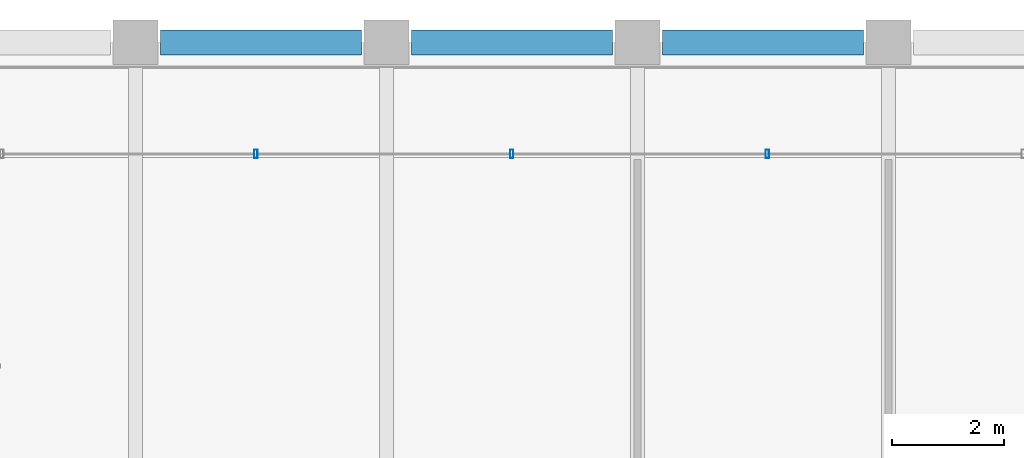
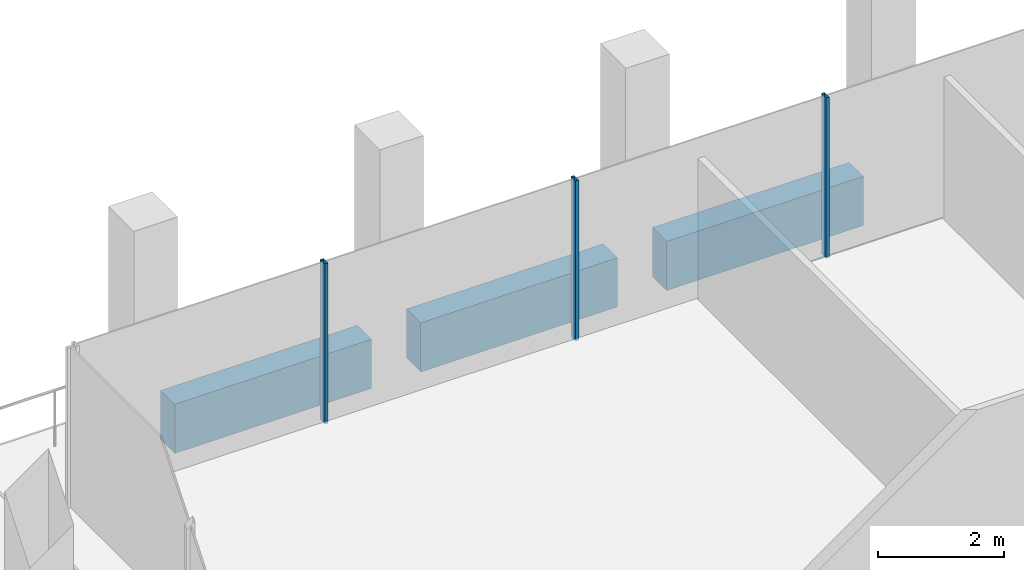
# One storey, part 23 of 40: 3 beams, 3 members, 1 element without a shape of its own.
"""IFC4 building model written with IfcOpenShell, lengths in metres."""

import ifcopenshell
import ifcopenshell.guid

model = None  # the IFC model being written
_history = None  # IfcOwnerHistory: only IFC2X3 demands one
_inside = {}  # id of a spatial element -> (the spatial element, [elements in it])
_under = {}  # id of a project, library or spatial element -> (it, [spatial elements below it])
_declared = {}  # id of a project -> (the project, [libraries it declares])
_typed = {}  # id of a type object -> (the type object, [elements of that type])
_made_of = {}  # id of a material, layer set ... -> (it, [elements and type objects made of it])


def new_model(schema):
    """Start an empty IFC model of exactly this schema.

    Asked for "IFC4X3", IfcOpenShell would pick the latest addendum, in which some entities
    have other attributes; the version numbers below select the first issue.
    IFC2X3 requires an IfcOwnerHistory on every rooted entity: one is made here for all.
    """
    global model, _history
    if schema == "IFC4X3":
        model = ifcopenshell.file(schema_version=(4, 3, 0, 0))
    else:
        model = ifcopenshell.file(schema=schema)
    _inside.clear()
    _under.clear()
    _declared.clear()
    _typed.clear()
    _made_of.clear()
    _history = None
    if model.schema == "IFC2X3":
        org = make("IfcOrganization", Name="unknown")
        user = make(
            "IfcPersonAndOrganization",
            ThePerson=make("IfcPerson", FamilyName="unknown"),
            TheOrganization=org,
        )
        app = make(
            "IfcApplication",
            ApplicationDeveloper=org,
            Version="unknown",
            ApplicationFullName="unknown",
            ApplicationIdentifier="unknown",
        )
        _history = make(
            "IfcOwnerHistory",
            OwningUser=user,
            OwningApplication=app,
            ChangeAction="ADDED",
            CreationDate=0,
        )
    return model


def make(cls, **values):
    """One entity of the class cls with the attributes given. An attribute that is None is left unset."""
    return model.create_entity(
        cls, **{name: value for name, value in values.items() if value is not None}
    )


def rooted(cls, **values):
    """An entity with a GlobalId (a new one), such as an element, a storey or a relation."""
    return make(cls, GlobalId=ifcopenshell.guid.new(), OwnerHistory=_history, **values)


def si_unit(unit_type, name, prefix=None):
    """IfcSIUnit, for example si_unit("LENGTHUNIT", "METRE", prefix="MILLI")."""
    return make("IfcSIUnit", UnitType=unit_type, Prefix=prefix, Name=name)


def assignment(units):
    """IfcUnitAssignment: the units of a project."""
    return None if units is None else make("IfcUnitAssignment", Units=units)


def point(xyz):
    """IfcCartesianPoint."""
    return None if xyz is None else make("IfcCartesianPoint", Coordinates=xyz)


def direction(xyz):
    """IfcDirection."""
    return None if xyz is None else make("IfcDirection", DirectionRatios=xyz)


def frame(location, z_axis=None, x_axis=None):
    """IfcAxis2Placement3D, a coordinate frame: its origin and axes. An axis left out is left unset."""
    return make(
        "IfcAxis2Placement3D",
        Location=point(location),
        Axis=direction(z_axis),
        RefDirection=direction(x_axis),
    )


def frame_2d(location, x_axis=None):
    """IfcAxis2Placement2D, a coordinate frame in the plane: its origin and x axis."""
    return make(
        "IfcAxis2Placement2D", Location=point(location), RefDirection=direction(x_axis)
    )


def origin():
    """The frame at (0, 0, 0) with its axes left unset."""
    return frame((0.0, 0.0, 0.0))


def origin_2d():
    """The frame at (0, 0) in the plane with its x axis left unset."""
    return frame_2d((0.0, 0.0))


def place(relative_to, where):
    """IfcLocalPlacement: puts the frame where relative to a parent placement (None: the world)."""
    return make(
        "IfcLocalPlacement", PlacementRelTo=relative_to, RelativePlacement=where
    )


def context(
    kind, dimensions, precision=None, world=None, true_north=None, identifier=None
):
    """IfcGeometricRepresentationContext, for example the 3D "Model" context."""
    return make(
        "IfcGeometricRepresentationContext",
        ContextIdentifier=identifier,
        ContextType=kind,
        CoordinateSpaceDimension=dimensions,
        Precision=precision,
        WorldCoordinateSystem=world,
        TrueNorth=true_north,
    )


def subcontext(parent, identifier, kind, view, scale=None):
    """IfcGeometricRepresentationSubContext, for example "Body" below "Model"."""
    return make(
        "IfcGeometricRepresentationSubContext",
        ContextIdentifier=identifier,
        ContextType=kind,
        ParentContext=parent,
        TargetScale=scale,
        TargetView=view,
    )


def project(units=None, contexts=None):
    """IfcProject with its units and contexts."""
    return rooted(
        "IfcProject",
        Name="project",
        RepresentationContexts=contexts,
        UnitsInContext=assignment(units),
    )


def spatial(cls, under=None, at=None, **own):
    """A site, building, storey or space (cls), placed at a placement, below another one or the project."""
    s = rooted(cls, ObjectPlacement=at, **own)
    if under is not None:
        _under.setdefault(under.id(), (under, []))[1].append(s)
    return s


def profile(cls, at=None, kind="AREA", **sizes):
    """A parametric profile (cls). Its sizes go by their IFC names, for example OverallWidth=200.0."""
    return make(cls, ProfileType=kind, Position=at, **sizes)


def rectangle(**sizes):
    """IfcRectangleProfileDef."""
    return profile("IfcRectangleProfileDef", **sizes)


def hollow_rectangle(**sizes):
    """IfcRectangleHollowProfileDef."""
    return profile("IfcRectangleHollowProfileDef", **sizes)


def extrude(swept, where, along, depth):
    """IfcExtrudedAreaSolid: the profile swept, set in the frame where, extruded along a direction by depth."""
    return make(
        "IfcExtrudedAreaSolid",
        SweptArea=swept,
        Position=where,
        ExtrudedDirection=direction(along),
        Depth=depth,
    )


def shape(context_of_items, identifier, shape_type, items):
    """IfcShapeRepresentation: the items that make up one representation, for example the "Body"."""
    return make(
        "IfcShapeRepresentation",
        ContextOfItems=context_of_items,
        RepresentationIdentifier=identifier,
        RepresentationType=shape_type,
        Items=items,
    )


def material(Name=None, Category=None):
    """IfcMaterial."""
    return make("IfcMaterial", Name=Name, Category=Category)


def material_profile(
    of_material, cross_section, Name=None, Category=None, Priority=None
):
    """IfcMaterialProfile: a cross section and its material."""
    return make(
        "IfcMaterialProfile",
        Name=Name,
        Material=of_material,
        Profile=cross_section,
        Priority=Priority,
        Category=Category,
    )


def profile_set(profiles, Name=None, composite=None):
    """IfcMaterialProfileSet."""
    return make(
        "IfcMaterialProfileSet",
        Name=Name,
        MaterialProfiles=profiles,
        CompositeProfile=composite,
    )


def made_of(thing, what):
    """Note that an element or type object is made of a material, layer set ...; save() writes the relation."""
    if what is not None:
        _made_of.setdefault(what.id(), (what, []))[1].append(thing)
    return thing


def type_object(cls, material=None, **own):
    """A type object (cls), such as IfcWallType, which elements share."""
    return made_of(rooted(cls, **own), material)


def element(
    cls,
    number,
    at=None,
    inside=None,
    cuts=None,
    type_object=None,
    material=None,
    context=None,
    identifier="Body",
    shape_type=None,
    held_by="IfcProductDefinitionShape",
    body=None,
    shapes=None,
    **own,
):
    """One element of the class cls, such as IfcWall. Its Tag is "e" and its number.

    at: its placement. inside: the storey or other place that contains it. cuts: it is an
    opening in that element (IfcRelVoidsElement). A single representation is given by context,
    identifier, shape_type and body (its items); several are given by shapes. held_by: the class
    of the entity that holds the representations. save() writes the other relations.
    """
    e = rooted(cls, Tag="e%d" % number, ObjectPlacement=at, **own)
    if body is not None:
        shapes = [shape(context, identifier, shape_type, body)]
    if shapes is not None:
        e.Representation = make(held_by, Representations=shapes)
    if inside is not None:
        _inside.setdefault(inside.id(), (inside, []))[1].append(e)
    if cuts is not None:
        rooted(
            "IfcRelVoidsElement", RelatingBuildingElement=cuts, RelatedOpeningElement=e
        )
    if type_object is not None:
        _typed.setdefault(type_object.id(), (type_object, []))[1].append(e)
    return made_of(e, material)


def aggregate(whole, parts):
    """IfcRelAggregates: a whole, such as a stair, and the parts it consists of."""
    return rooted("IfcRelAggregates", RelatingObject=whole, RelatedObjects=parts)


def save(model, path):
    """Write the relations noted so far, then the file.

    IfcRelAggregates (storeys below a building ...), IfcRelContainedInSpatialStructure (elements
    in a storey), IfcRelDefinesByType, IfcRelAssociatesMaterial and IfcRelDeclares: one each for
    every whole, place, type object, material and project.
    """
    for whole, parts in _under.values():
        aggregate(whole, parts)
    for where, things in _inside.values():
        rooted(
            "IfcRelContainedInSpatialStructure",
            RelatedElements=things,
            RelatingStructure=where,
        )
    for kind, things in _typed.values():
        rooted("IfcRelDefinesByType", RelatedObjects=things, RelatingType=kind)
    for what, things in _made_of.values():
        rooted("IfcRelAssociatesMaterial", RelatedObjects=things, RelatingMaterial=what)
    for by, libraries in _declared.values():
        rooted("IfcRelDeclares", RelatingContext=by, RelatedDefinitions=libraries)
    model.write(path)


model = new_model("IFC4")

# Units and contexts
model_context = context("Model", 3, precision=1e-05, world=origin(), true_north=direction((0.0, 1.0)))
body_context = subcontext(model_context, "Body", "Model", "MODEL_VIEW")
ifc_project = project(units=[si_unit("LENGTHUNIT", "METRE"), si_unit("AREAUNIT", "SQUARE_METRE"), si_unit("VOLUMEUNIT", "CUBIC_METRE"), si_unit("PLANEANGLEUNIT", "RADIAN"), si_unit("MASSUNIT", "GRAM", prefix="KILO")], contexts=[model_context])

# Site, building, storey
site_placement = place(None, origin())
site = spatial("IfcSite", under=ifc_project, at=site_placement, CompositionType="ELEMENT")
building_placement = place(site_placement, origin())
building = spatial("IfcBuilding", under=site, at=building_placement, Name="Altepetl Exchange Towers", CompositionType="ELEMENT")
storey_placement = place(building_placement, frame((0.0, 0.0, 195.60009765625)))
storey = spatial("IfcBuildingStorey", under=building, at=storey_placement, Name="L49", CompositionType="ELEMENT", Elevation=195.60009765625)

# Curtain wall, members
ifc_material_1 = material(Name="Aluminium 6063-T6 glazing", Category="aluminium")
curtain_wall_type = type_object("IfcCurtainWallType", Name="Loggia glazing system", PredefinedType="NOTDEFINED", material=ifc_material_1)
curtain_wall_placement = place(storey_placement, origin())
curtain_wall = element("IfcCurtainWall", 1, at=curtain_wall_placement, inside=storey, type_object=curtain_wall_type, Name="CW1 run", PredefinedType="NOTDEFINED")
ifc_material_2 = material(Name="Aluminium 6063-T6", Category="aluminium")
ifc_material_profile_1 = material_profile(ifc_material_2, hollow_rectangle(XDim=0.06005859375, YDim=0.14990234375, WallThickness=0.0029296875, at=origin_2d()), Name="Mullion 60x150 aluminium")
ifc_profile_set_1 = profile_set([ifc_material_profile_1], Name="Aluminium 6063-T6")
member_type = type_object("IfcMemberType", Name="Mullion 60x150 aluminium", PredefinedType="MULLION", material=ifc_profile_set_1)
member_1_placement = place(storey_placement, frame((56.330078125, 70.0, 0.0), z_axis=(0.0, 0.0, 1.0), x_axis=(-1.0, 0.0, 0.0)))
member_1 = element("IfcMember", 2, at=member_1_placement, type_object=member_type, Name="MU1 mullion", PredefinedType="MULLION", context=body_context, shape_type="SweptSolid", body=[
    extrude(hollow_rectangle(XDim=0.06005859375, YDim=0.14990234375, WallThickness=0.0029296875, at=origin_2d()), origin(), (0.0, 0.0, 1.0), 3.099853515625),
])
member_2_placement = place(storey_placement, frame((51.7451171875, 70.0, 0.0), z_axis=(0.0, 0.0, 1.0), x_axis=(-1.0, 0.0, 0.0)))
member_2 = element("IfcMember", 3, at=member_2_placement, type_object=member_type, Name="MU1 mullion", PredefinedType="MULLION", context=body_context, shape_type="SweptSolid", body=[
    extrude(hollow_rectangle(XDim=0.06005859375, YDim=0.14990234375, WallThickness=0.0029296875, at=origin_2d()), origin(), (0.0, 0.0, 1.0), 3.099853515625),
])
member_3_placement = place(storey_placement, frame((47.159912109375, 70.0, 0.0), z_axis=(0.0, 0.0, 1.0), x_axis=(-1.0, 0.0, 0.0)))
member_3 = element("IfcMember", 4, at=member_3_placement, type_object=member_type, Name="MU1 mullion", PredefinedType="MULLION", context=body_context, shape_type="SweptSolid", body=[
    extrude(hollow_rectangle(XDim=0.06005859375, YDim=0.14990234375, WallThickness=0.0029296875, at=origin_2d()), origin(), (0.0, 0.0, 1.0), 3.099853515625),
])
aggregate(curtain_wall, [member_1, member_2, member_3])

# Beams
ifc_material_3 = material(Name="Concrete C50/60 precast with cantera rosa facing", Category="concrete")
ifc_material_profile_2 = material_profile(ifc_material_3, rectangle(XDim=0.449951171875, YDim=0.949951171875, at=origin_2d()), Name="450 x 950")
ifc_profile_set_2 = profile_set([ifc_material_profile_2], Name="Concrete C50/60 precast with cantera rosa facing")
beam_type = type_object("IfcBeamType", Name="Spandrel beam 450x950 cantera rosa", PredefinedType="SPANDREL", material=ifc_profile_set_2)
for number, where, z_axis, x_axis, name in (
    (5, (58.050048828125, 72.0, -0.625), (-1.0, 0.0, 0.0), (0.0, -1.0, 0.0), "sp:A:L49:026"),
    (6, (53.550048828125, 72.0, -0.625), (-1.0, 0.0, 0.0), (0.0, -1.0, 0.0), "sp:A:L49:027"),
    (7, (49.050048828125, 72.0, -0.625), (-1.0, 0.0, 0.0), (0.0, -1.0, 0.0), "sp:A:L49:028"),
):
    element("IfcBeam", number, at=place(storey_placement, frame(where, z_axis=z_axis, x_axis=x_axis)), inside=storey, type_object=beam_type, Name=name, PredefinedType="SPANDREL", context=body_context, shape_type="SweptSolid", body=[
        extrude(rectangle(XDim=0.449951171875, YDim=0.949951171875, at=origin_2d()), origin(), (0.0, 0.0, 1.0), 3.60009765625),
    ])

save(model, "model.ifc")
